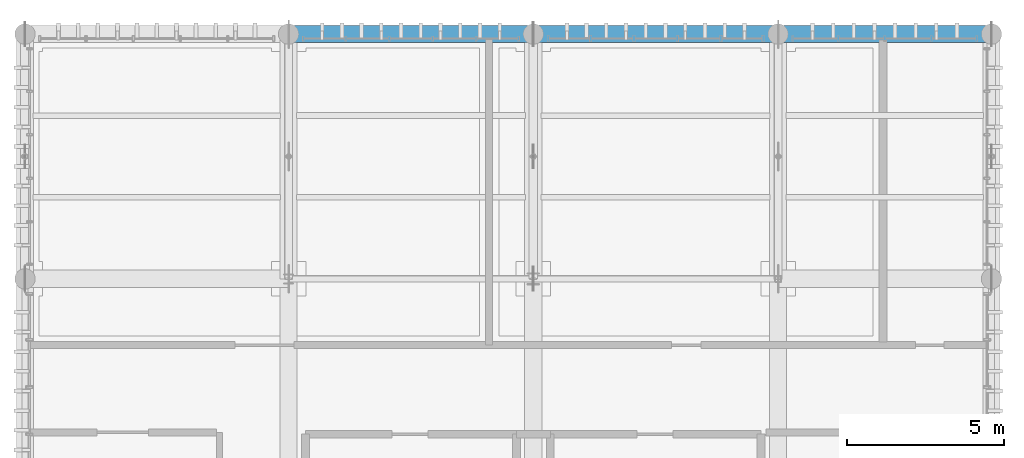
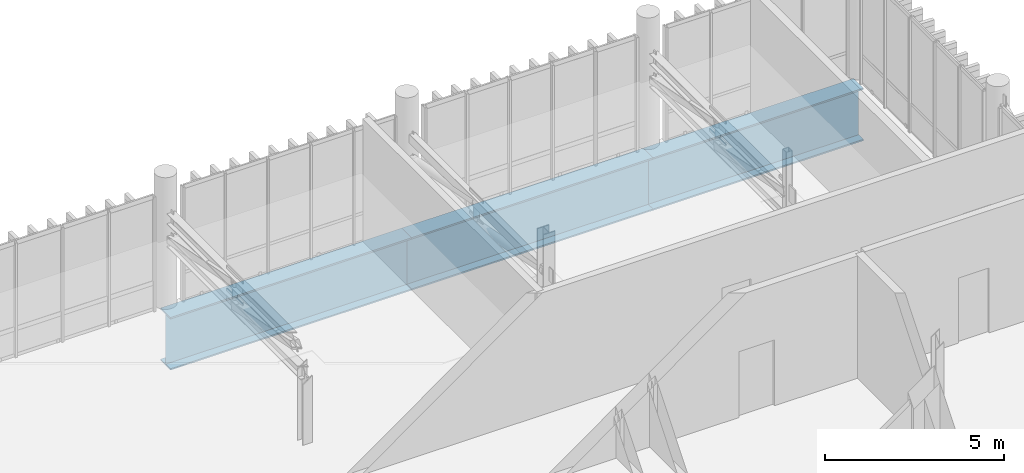
# One storey, part 39 of 53: 3 beams.
"""IFC4 building model written with IfcOpenShell, lengths in metres."""

from ifc_helpers import new_model, si_unit, direction, frame, origin_with_axes, origin_2d_with_axis, place, context, subcontext, project, spatial, i_section, extrude, material, material_profile, profile_set, type_object, element, save


model = new_model("IFC4")

# Units and contexts
model_context = context("Model", 3, precision=1e-05, world=origin_with_axes(), true_north=direction((0.0, 1.0)))
body_context = subcontext(model_context, "Body", "Model", "MODEL_VIEW")
ifc_project = project(units=[si_unit("LENGTHUNIT", "METRE"), si_unit("AREAUNIT", "SQUARE_METRE"), si_unit("VOLUMEUNIT", "CUBIC_METRE"), si_unit("PLANEANGLEUNIT", "RADIAN"), si_unit("MASSUNIT", "GRAM", prefix="KILO"), si_unit("THERMODYNAMICTEMPERATUREUNIT", "KELVIN")], contexts=[model_context])

# Site, building, storey
site_placement = place(None, origin_with_axes())
site = spatial("IfcSite", under=ifc_project, at=site_placement, CompositionType="ELEMENT")
building_placement = place(site_placement, origin_with_axes())
building = spatial("IfcBuilding", under=site, at=building_placement, Name="Montbau Bow Law Courts", CompositionType="ELEMENT")
storey_placement = place(building_placement, frame((0.0, 0.0, 39.0), z_axis=(0.0, 0.0, 1.0), x_axis=(1.0, 0.0, 0.0)))
storey = spatial("IfcBuildingStorey", under=building, at=storey_placement, Name="L08", CompositionType="ELEMENT", Elevation=39.0)

# Beams
ifc_material = material(Name="Steel CSA G40.21 Grade 350WT (350 MPa)", Category="steel")
ifc_material_profile = material_profile(ifc_material, i_section(OverallWidth=0.55, OverallDepth=1.8, WebThickness=0.022, FlangeThickness=0.05, at=origin_2d_with_axis()), Name="WWF1800X550", Category="Main", Priority=0)
ifc_profile_set = profile_set([ifc_material_profile], Name="Steel CSA G40.21 Grade 350WT (350 MPa)")
beam_type = type_object("IfcBeamType", Name="B-TRG-01", PredefinedType="USERDEFINED", material=ifc_profile_set)
for number, where, z_axis, x_axis, name in (
    (1, (147.0, 111.0, 37.76), (1.0, 0.0, 0.0), (0.0, 1.0, 0.0), "TRG-L08-S0107:bm2_0110"),
    (2, (154.8, 111.0, 37.76), (1.0, 0.0, 0.0), (0.0, 1.0, 0.0), "TRG-L08-S0108:bm2_0111"),
):
    element("IfcBeam", number, at=place(None, frame(where, z_axis=z_axis, x_axis=x_axis)), inside=storey, type_object=beam_type, Name=name, ObjectType="GIRDER", PredefinedType="USERDEFINED", context=body_context, shape_type="SweptSolid", body=[
        extrude(i_section(OverallWidth=0.55, OverallDepth=1.8, WebThickness=0.022, FlangeThickness=0.05, at=origin_2d_with_axis()), origin_with_axes(), (0.0, 0.0, 1.0), 7.8),
    ])
beam_placement = place(None, frame((162.6, 111.0, 37.76), z_axis=(1.0, 0.0, 0.0), x_axis=(0.0, 1.0, 0.0)))
element("IfcBeam", 3, at=beam_placement, inside=storey, type_object=beam_type, Name="TRG-L08-S0109:bm2_0112", ObjectType="GIRDER", PredefinedType="USERDEFINED", context=body_context, shape_type="SweptSolid", body=[
    extrude(i_section(OverallWidth=0.55, OverallDepth=1.8, WebThickness=0.022, FlangeThickness=0.05, at=origin_2d_with_axis()), origin_with_axes(), (0.0, 0.0, 1.0), 6.8),
])

save(model, "model.ifc")
